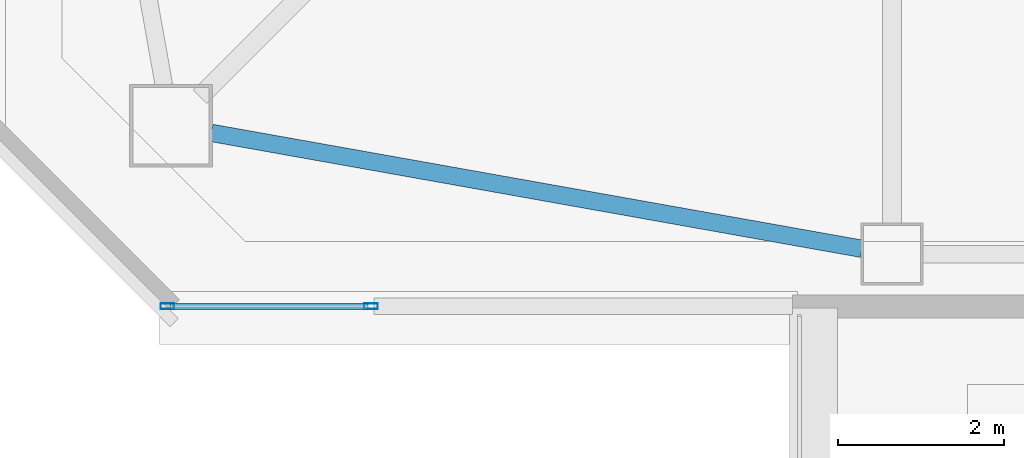
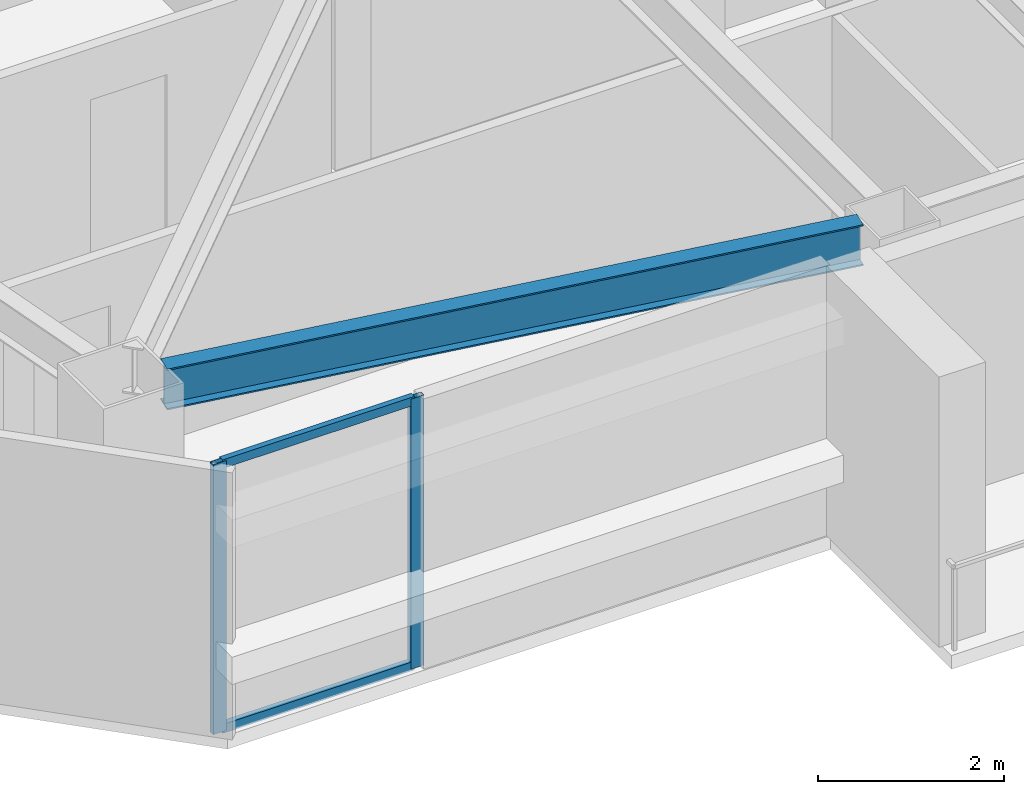
# One storey, part 3 of 40: 4 members, 1 beam, 1 element without a shape of its own.
"""IFC4 building model written with IfcOpenShell, lengths in metres."""

from ifc_helpers import new_model, si_unit, direction, frame, origin, origin_2d, place, context, subcontext, project, spatial, hollow_rectangle, i_section, extrude, material, material_profile, profile_set, type_object, element, aggregate, save


model = new_model("IFC4")

# Units and contexts
model_context = context("Model", 3, precision=1e-05, world=origin(), true_north=direction((0.0, 1.0)))
body_context = subcontext(model_context, "Body", "Model", "MODEL_VIEW")
ifc_project = project(units=[si_unit("LENGTHUNIT", "METRE"), si_unit("AREAUNIT", "SQUARE_METRE"), si_unit("VOLUMEUNIT", "CUBIC_METRE"), si_unit("PLANEANGLEUNIT", "RADIAN"), si_unit("MASSUNIT", "GRAM", prefix="KILO")], contexts=[model_context])

# Site, building, storey
site_placement = place(None, origin())
site = spatial("IfcSite", under=ifc_project, at=site_placement, CompositionType="ELEMENT")
building_placement = place(site_placement, origin())
building = spatial("IfcBuilding", under=site, at=building_placement, Name="Tashvorn Skyway Center", CompositionType="ELEMENT")
storey_placement = place(building_placement, frame((0.0, 0.0, 221.949951171875)))
storey = spatial("IfcBuildingStorey", under=building, at=storey_placement, Name="L60", CompositionType="ELEMENT", Elevation=221.949951171875)

# Beam
ifc_material_1 = material(Name="Steel ASTM A992 Grade 50", Category="steel")
ifc_material_profile_1 = material_profile(ifc_material_1, i_section(OverallWidth=0.2109375, OverallDepth=0.5390625, WebThickness=0.01171875, FlangeThickness=0.018798828125, at=origin_2d()), Name="W21X73")
ifc_profile_set_1 = profile_set([ifc_material_profile_1], Name="Steel ASTM A992 Grade 50")
beam_type = type_object("IfcBeamType", Name="BM-SPANDREL-W21X73", PredefinedType="SPANDREL", material=ifc_profile_set_1)
beam_placement = place(storey_placement, frame((28.38720703125, 17.813232421875, 3.1005859375), z_axis=(0.984494883191, -0.17541329759, 0.0), x_axis=(0.17541329759, 0.984494883191, 0.0)))
element("IfcBeam", 1, at=beam_placement, inside=storey, type_object=beam_type, Name="Tower 1 L60 Spandrel Beam 01", PredefinedType="SPANDREL", context=body_context, shape_type="SweptSolid", body=[
    extrude(i_section(OverallWidth=0.2109375, OverallDepth=0.5390625, WebThickness=0.01171875, FlangeThickness=0.018798828125, at=origin_2d()), origin(), (0.0, 0.0, 1.0), 7.97216796875),
])

# Curtain wall, members
ifc_material_2 = material(Name="Thermally broken bronze-anodized aluminium 6063-T6", Category="aluminium")
curtain_wall_type = type_object("IfcCurtainWallType", Name="CW-CW-Z5", PredefinedType="NOTDEFINED", material=ifc_material_2)
curtain_wall_placement = place(storey_placement, origin())
curtain_wall = element("IfcCurtainWall", 2, at=curtain_wall_placement, inside=storey, type_object=curtain_wall_type, Name="Tower 1 L60 South Curtain Wall R Glazing Group 1", PredefinedType="NOTDEFINED")
ifc_material_profile_2 = material_profile(ifc_material_2, hollow_rectangle(XDim=0.070068359375, YDim=0.1650390625, WallThickness=0.00390625, at=origin_2d()), Name="ALU-MULL-70x165")
ifc_profile_set_2 = profile_set([ifc_material_profile_2], Name="Thermally broken bronze-anodized aluminium 6063-T6")
member_type_1 = type_object("IfcMemberType", Name="CWM-CW-Z5", PredefinedType="MULLION", material=ifc_profile_set_2)
member_1_placement = place(storey_placement, frame((30.311767578125, 15.719970703125, 0.0), z_axis=(0.0, 0.0, 1.0), x_axis=(0.0, -1.0, 0.0)))
member_1 = element("IfcMember", 3, at=member_1_placement, type_object=member_type_1, Name="CW-Z5 mullion 1", PredefinedType="MULLION", context=body_context, shape_type="SweptSolid", body=[
    extrude(hollow_rectangle(XDim=0.070068359375, YDim=0.1650390625, WallThickness=0.00390625, at=origin_2d()), origin(), (0.0, 0.0, 1.0), 3.550048828125),
])
member_2_placement = place(storey_placement, frame((27.85498046875, 15.719970703125, 0.0), z_axis=(0.0, 0.0, 1.0), x_axis=(0.0, -1.0, 0.0)))
member_2 = element("IfcMember", 4, at=member_2_placement, type_object=member_type_1, Name="CW-Z5 mullion 2", PredefinedType="MULLION", context=body_context, shape_type="SweptSolid", body=[
    extrude(hollow_rectangle(XDim=0.070068359375, YDim=0.1650390625, WallThickness=0.00390625, at=origin_2d()), origin(), (0.0, 0.0, 1.0), 3.550048828125),
])
ifc_material_profile_3 = material_profile(ifc_material_2, hollow_rectangle(XDim=0.070068359375, YDim=0.114990234375, WallThickness=0.00390625, at=origin_2d()), Name="ALU-TRAN-70x115")
ifc_profile_set_3 = profile_set([ifc_material_profile_3], Name="Thermally broken bronze-anodized aluminium 6063-T6")
member_type_2 = type_object("IfcMemberType", Name="CWT-CW-Z5", PredefinedType="USERDEFINED", material=ifc_profile_set_3)
member_3_placement = place(storey_placement, frame((30.276611328125, 15.719970703125, 0.03515625), z_axis=(-1.0, 0.0, 0.0), x_axis=(0.0, -1.0, 0.0)))
member_3 = element("IfcMember", 5, at=member_3_placement, type_object=member_type_2, Name="CW-Z5 transom 1.1", ObjectType="TRANSOM", PredefinedType="USERDEFINED", context=body_context, shape_type="SweptSolid", body=[
    extrude(hollow_rectangle(XDim=0.070068359375, YDim=0.114990234375, WallThickness=0.00390625, at=origin_2d()), origin(), (0.0, 0.0, 1.0), 2.38671875),
])
member_4_placement = place(storey_placement, frame((30.276611328125, 15.719970703125, 3.51513671875), z_axis=(-1.0, 0.0, 0.0), x_axis=(0.0, -1.0, 0.0)))
member_4 = element("IfcMember", 6, at=member_4_placement, type_object=member_type_2, Name="CW-Z5 transom 1.2", ObjectType="TRANSOM", PredefinedType="USERDEFINED", context=body_context, shape_type="SweptSolid", body=[
    extrude(hollow_rectangle(XDim=0.070068359375, YDim=0.114990234375, WallThickness=0.00390625, at=origin_2d()), origin(), (0.0, 0.0, 1.0), 2.38671875),
])
aggregate(curtain_wall, [member_1, member_2, member_3, member_4])

save(model, "model.ifc")
